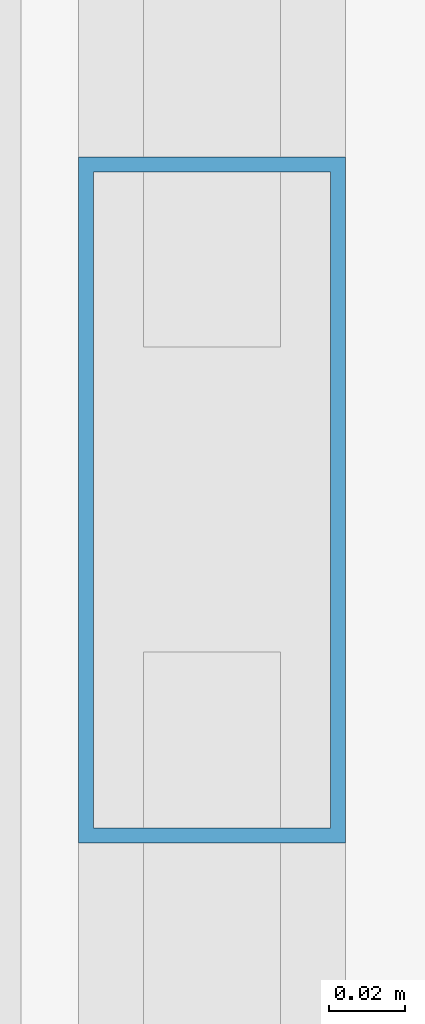
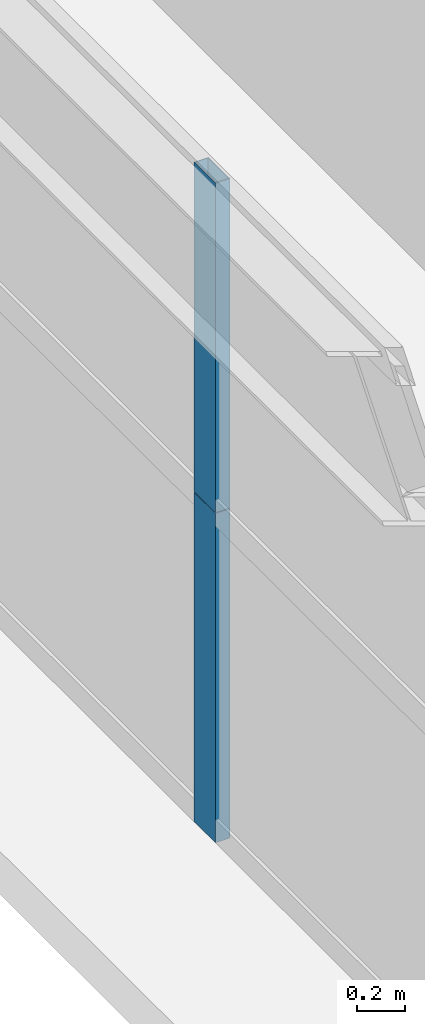
# One storey, part 21 of 39: 2 members, 1 element without a shape of its own.
"""IFC4 building model written with IfcOpenShell, lengths in metres."""

from ifc_helpers import new_model, si_unit, direction, frame, origin, origin_2d, place, context, subcontext, project, spatial, hollow_rectangle, extrude, source, transform, mapped, material, layer, layer_set, material_profile, profile_set, type_object, element, aggregate, save


model = new_model("IFC4")

# Units and contexts
model_context = context("Model", 3, precision=1e-05, world=origin(), true_north=direction((0.0, 1.0)))
body_context = subcontext(model_context, "Body", "Model", "MODEL_VIEW")
ifc_project = project(units=[si_unit("LENGTHUNIT", "METRE"), si_unit("AREAUNIT", "SQUARE_METRE"), si_unit("VOLUMEUNIT", "CUBIC_METRE"), si_unit("PLANEANGLEUNIT", "RADIAN"), si_unit("MASSUNIT", "GRAM", prefix="KILO"), si_unit("THERMODYNAMICTEMPERATUREUNIT", "KELVIN"), si_unit("POWERUNIT", "WATT")], contexts=[model_context])

# Site, building, storey
site_placement = place(None, origin())
site = spatial("IfcSite", under=ifc_project, at=site_placement, CompositionType="ELEMENT")
building_placement = place(site_placement, origin())
building = spatial("IfcBuilding", under=site, at=building_placement, Name="Yuzanri Waterfront Tower", CompositionType="ELEMENT")
storey_placement = place(building_placement, frame((0.0, 0.0, 156.0)))
storey = spatial("IfcBuildingStorey", under=building, at=storey_placement, Name="L41", CompositionType="ELEMENT", Elevation=156.0)

# Curtain wall, members
ifc_material_1 = material(Name="Anodized Architectural Bronze", Category="metal")
ifc_layer = layer(ifc_material_1, 0.159912109375)
ifc_layer_set = layer_set([ifc_layer], Name="Anodized Architectural Bronze")
curtain_wall_type = type_object("IfcCurtainWallType", Name="Anodized Bronze Hotel Upper-Tier Solar-Control Unitized Curtain Wall 7800", PredefinedType="NOTDEFINED", material=ifc_layer_set)
curtain_wall_placement = place(storey_placement, origin())
curtain_wall = element("IfcCurtainWall", 1, at=curtain_wall_placement, inside=storey, type_object=curtain_wall_type, Name="L41 Curtain Wall CW-L41-WR", PredefinedType="NOTDEFINED")
ifc_material_2 = material(Name="Anodized Architectural Bronze", Category="metal")
ifc_material_profile = material_profile(ifc_material_2, hollow_rectangle(XDim=0.070068359375, YDim=0.179931640625, WallThickness=0.00390625, at=origin_2d()), Name="CWM 70x180")
ifc_profile_set = profile_set([ifc_material_profile], Name="Anodized Architectural Bronze")
member_type = type_object("IfcMemberType", Name="Anodized Bronze Standard Curtain-Wall Mullion 70x180", PredefinedType="MULLION", material=ifc_profile_set)
shared_shape = source(origin(), body_context, "Body", "SweptSolid", [
    extrude(hollow_rectangle(XDim=0.070068359375, YDim=0.179931640625, WallThickness=0.00390625, at=origin_2d()), origin(), (0.0, 0.0, 1.0), 1.68798828125),
])
member_1_placement = place(storey_placement, frame((13.550048828125, 34.14990234375, 0.0), z_axis=(0.0, 0.0, 1.0), x_axis=(1.0, 0.0, 0.0)))
member_1 = element("IfcMember", 2, at=member_1_placement, type_object=member_type, Name="CW-L41-WR Lower Mullion 01", PredefinedType="MULLION", context=body_context, shape_type="MappedRepresentation", body=[
    mapped(shared_shape, transform((0.0, 0.0, 0.0), scale=1.0)),
])
member_2_placement = place(storey_placement, frame((13.550048828125, 34.14990234375, 1.69189453125), z_axis=(0.0, 0.0, 1.0), x_axis=(1.0, 0.0, 0.0)))
member_2 = element("IfcMember", 3, at=member_2_placement, type_object=member_type, Name="CW-L41-WR Upper Mullion 01", PredefinedType="MULLION", context=body_context, shape_type="MappedRepresentation", body=[
    mapped(shared_shape, transform((0.0, 0.0, 0.0), scale=1.0)),
])
aggregate(curtain_wall, [member_1, member_2])

save(model, "model.ifc")
